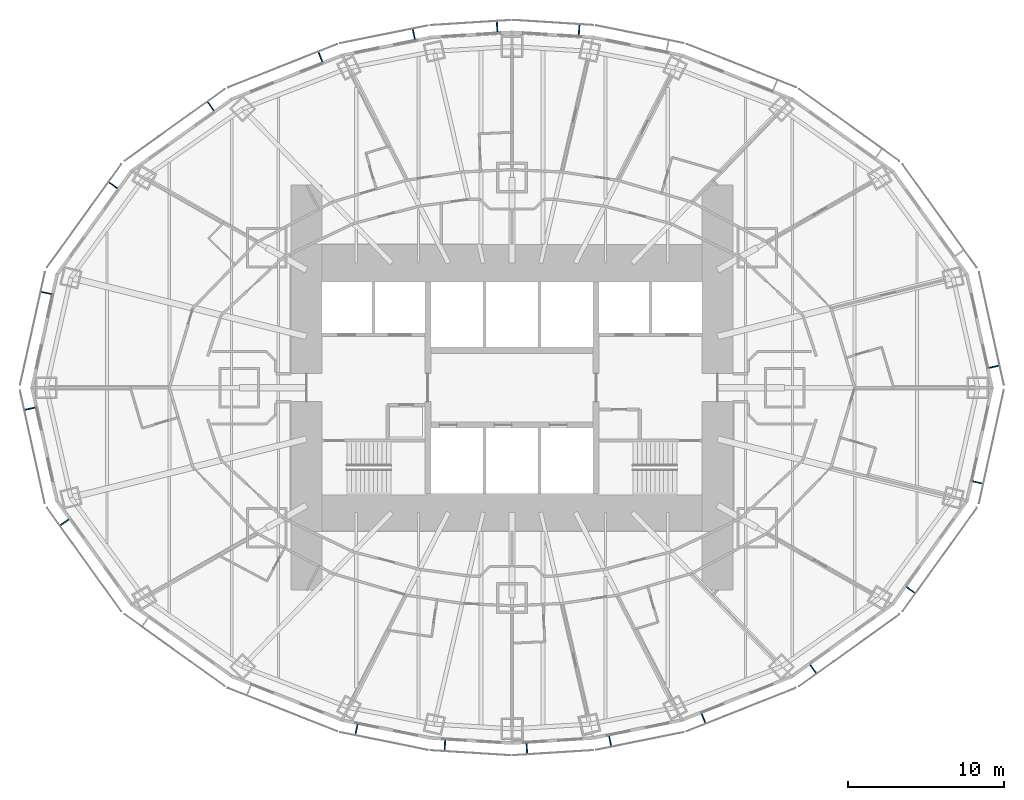
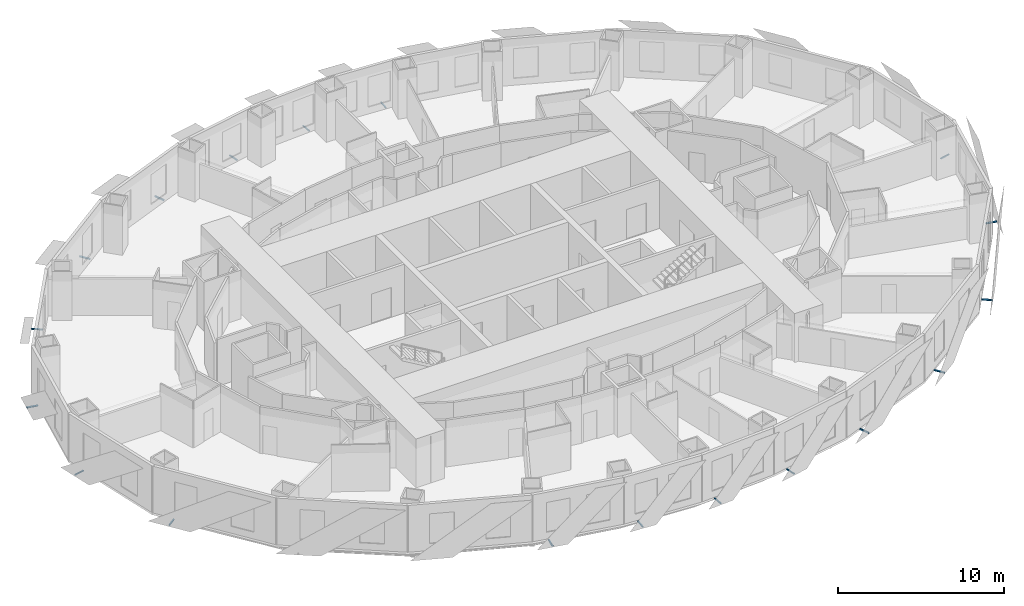
# One storey, part 11 of 15: 18 discrete accessories.
"""IFC4 building model written with IfcOpenShell, lengths in metres."""

from ifc_helpers import new_model, si_unit, direction, frame, origin, origin_2d, place, context, subcontext, project, spatial, rectangle, extrude, element, save


model = new_model("IFC4")

# Units and contexts
model_context = context("Model", 3, precision=1e-05, world=origin(), true_north=direction((0.0, 1.0)))
body_context = subcontext(model_context, "Body", "Model", "MODEL_VIEW")
ifc_project = project(units=[si_unit("LENGTHUNIT", "METRE"), si_unit("AREAUNIT", "SQUARE_METRE"), si_unit("VOLUMEUNIT", "CUBIC_METRE"), si_unit("PLANEANGLEUNIT", "RADIAN"), si_unit("MASSUNIT", "GRAM", prefix="KILO")], contexts=[model_context])

# Site, building, storey
site_placement = place(None, origin())
site = spatial("IfcSite", under=ifc_project, at=site_placement, CompositionType="ELEMENT")
building_placement = place(site_placement, origin())
building = spatial("IfcBuilding", under=site, at=building_placement, Name="Lantaw Convention Tower", CompositionType="ELEMENT")
storey_placement = place(building_placement, frame((0.0, 0.0, 73.0)))
storey = spatial("IfcBuildingStorey", under=building, at=storey_placement, Name="L16", CompositionType="ELEMENT", Elevation=73.0)

# Discrete accessories
for number, where, z_axis, x_axis, name in (
    (1, (30.967529296875, 1.35009765625, -0.114990234375), (0.0, 0.0, 1.0), (-0.215246056391, 0.976559847223, 0.0), "Screen bracket"),
    (2, (4.310302734375, 22.987548828125, -0.114990234375), (0.0, 0.0, 1.0), (-0.998016153807, 0.062958373078, 0.0), "Screen bracket"),
    (3, (-0.9560546875, 23.19921875, -0.114990234375), (0.0, 0.0, 1.0), (-0.998016153807, -0.062958373078, 0.0), "Screen bracket"),
    (4, (-6.307861328125, 22.71728515625, -0.114990234375), (0.0, 0.0, 1.0), (-0.980244604501, -0.197789067813, 0.0), "Screen bracket"),
    (5, (-12.309814453125, 21.25732421875, -0.114990234375), (0.0, 0.0, 1.0), (-0.929361152748, -0.369171840425, 0.0), "Screen bracket"),
    (6, (-19.352294921875, 18.085205078125, -0.114990234375), (0.0, 0.0, 1.0), (-0.812803733199, -0.5825376308, 0.0), "Screen bracket"),
    (7, (-25.61962890625, 13.004638671875, -0.114990234375), (0.0, 0.0, 1.0), (-0.583951250436, -0.811788726895, 0.0), "Screen bracket"),
    (8, (-29.92333984375, 6.087890625, -0.114990234375), (0.0, 0.0, 1.0), (-0.215246056391, -0.976559847223, 0.0), "Screen bracket"),
    (9, (-30.967529296875, -1.35009765625, -0.114990234375), (0.0, 0.0, 1.0), (0.215246056391, -0.976559847223, 0.0), "Screen bracket"),
    (10, (-28.745849609375, -8.65869140625, -0.114990234375), (0.0, 0.0, 1.0), (0.583951250436, -0.811788726895, 0.0), "Screen bracket"),
    (11, (-9.990478515625, -21.974365234375, -0.114990234375), (0.0, 0.0, 1.0), (0.980244604501, -0.197789067813, 0.0), "Screen bracket"),
    (12, (-4.310302734375, -22.987548828125, -0.114990234375), (0.0, 0.0, 1.0), (0.998016153807, -0.062958373078, 0.0), "Screen bracket"),
    (13, (0.9560546875, -23.19921875, -0.114990234375), (0.0, 0.0, 1.0), (0.998016153807, 0.062958373078, 0.0), "Screen bracket"),
    (14, (6.307861328125, -22.71728515625, -0.114990234375), (0.0, 0.0, 1.0), (0.980244604501, 0.197789067813, 0.0), "Screen bracket"),
    (15, (12.309814453125, -21.25732421875, -0.114990234375), (0.0, 0.0, 1.0), (0.929361152748, 0.369171840425, 0.0), "Screen bracket"),
    (16, (19.352294921875, -18.085205078125, -0.114990234375), (0.0, 0.0, 1.0), (0.812803733199, 0.5825376308, 0.0), "Screen bracket"),
    (17, (25.61962890625, -13.004638671875, -0.114990234375), (0.0, 0.0, 1.0), (0.583951250436, 0.811788726895, 0.0), "Screen bracket"),
    (18, (29.92333984375, -6.087890625, -0.114990234375), (0.0, 0.0, 1.0), (0.215246056391, 0.976559847223, 0.0), "Screen bracket"),
):
    element("IfcDiscreteAccessory", number, at=place(storey_placement, frame(where, z_axis=z_axis, x_axis=x_axis)), inside=storey, Name=name, PredefinedType="BRACKET", context=body_context, shape_type="SweptSolid", body=[
        extrude(rectangle(XDim=0.080078125, YDim=0.68798828125, at=origin_2d()), origin(), (0.0, 0.0, 1.0), 0.080078125),
    ])

save(model, "model.ifc")
